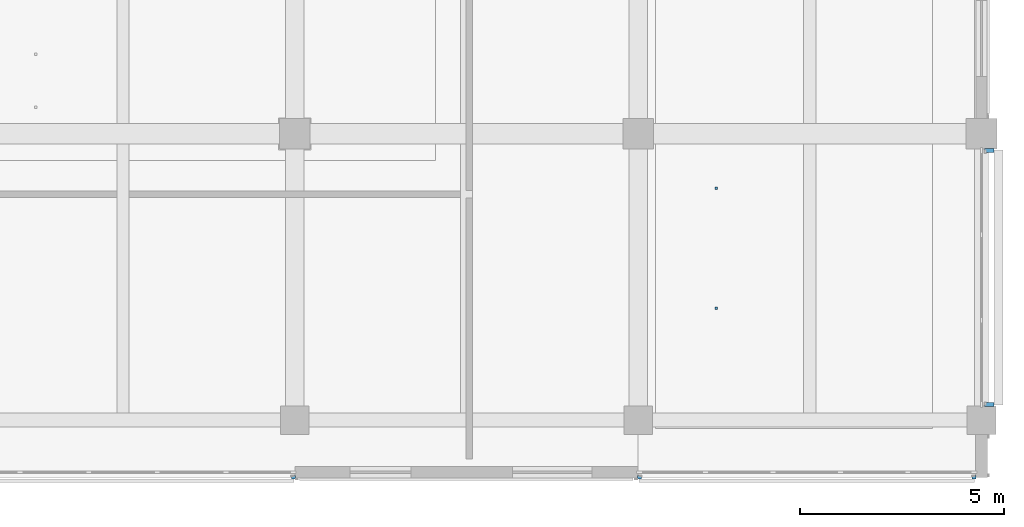
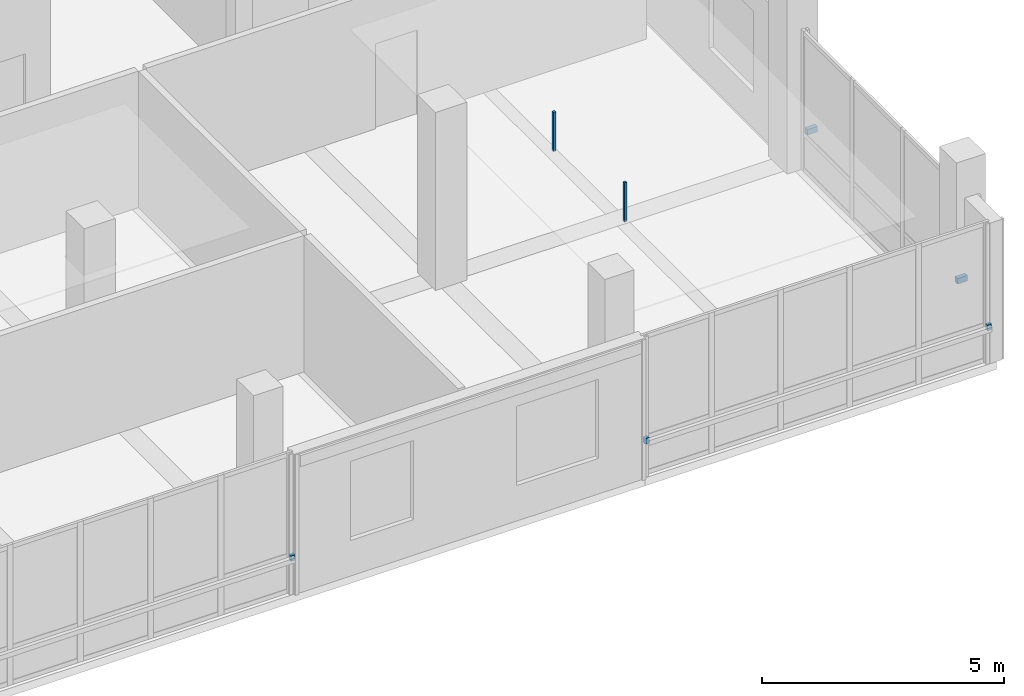
# One storey, part 19 of 35: 7 discrete accessories.
"""IFC4 building model written with IfcOpenShell, lengths in metres."""

from ifc_helpers import new_model, si_unit, direction, frame, origin, origin_2d, place, context, subcontext, project, spatial, rectangle, extrude, material, type_object, element, save


model = new_model("IFC4")

# Units and contexts
model_context = context("Model", 3, precision=1e-05, world=origin(), true_north=direction((0.0, 1.0)))
body_context = subcontext(model_context, "Body", "Model", "MODEL_VIEW")
ifc_project = project(units=[si_unit("LENGTHUNIT", "METRE"), si_unit("AREAUNIT", "SQUARE_METRE"), si_unit("VOLUMEUNIT", "CUBIC_METRE"), si_unit("PLANEANGLEUNIT", "RADIAN"), si_unit("MASSUNIT", "GRAM", prefix="KILO")], contexts=[model_context])

# Site, building, storey
site_placement = place(None, origin())
site = spatial("IfcSite", under=ifc_project, at=site_placement, CompositionType="ELEMENT")
building_placement = place(site_placement, origin())
building = spatial("IfcBuilding", under=site, at=building_placement, Name="Telukmera Botanical Conservatory", CompositionType="ELEMENT")
storey_placement = place(building_placement, frame((0.0, 0.0, 46.5)))
storey = spatial("IfcBuildingStorey", under=building, at=storey_placement, Name="L10", CompositionType="ELEMENT", Elevation=46.5)

# Discrete accessories
ifc_material = material(Name="Steel S355", Category="steel")
discrete_accessory_type_1 = type_object("IfcDiscreteAccessoryType", Name="ACC-CEIL-HGR", PredefinedType="BRACKET", material=ifc_material)
for number, where, z_axis, x_axis, name in (
    (1, (94.3115234375, 13.33740234375, 3.31982421875), (0.0, 0.0, 1.0), (1.0, 0.0, 0.0), "L10 Suspended Ceiling Hanger Rod 027-1"),
    (2, (94.3115234375, 16.27490234375, 3.31982421875), (0.0, 0.0, 1.0), (1.0, 0.0, 0.0), "L10 Suspended Ceiling Hanger Rod 027-2"),
):
    element("IfcDiscreteAccessory", number, at=place(storey_placement, frame(where, z_axis=z_axis, x_axis=x_axis)), inside=storey, type_object=discrete_accessory_type_1, Name=name, PredefinedType="BRACKET", context=body_context, shape_type="SweptSolid", body=[
        extrude(rectangle(XDim=0.06005859375, YDim=0.06005859375, at=origin_2d()), origin(), (0.0, 0.0, 1.0), 0.985107421875),
    ])
discrete_accessory_type_2 = type_object("IfcDiscreteAccessoryType", Name="Structural Steel Facade Outrigger Fin Bracket", PredefinedType="BRACKET", material=ifc_material)
for number, where, z_axis, x_axis, name in (
    (3, (83.968017578125, 9.205078125, 0.8798828125), (0.0, 0.0, 1.0), (1.0, 0.0, 0.0), "Facade Outrigger Bracket V4:L10:S4 B"),
    (4, (92.431884765625, 9.205078125, 0.8798828125), (0.0, 0.0, 1.0), (1.0, 0.0, 0.0), "Facade Outrigger Bracket V4:L10:S6 A"),
    (5, (100.617919921875, 9.205078125, 0.8798828125), (0.0, 0.0, 1.0), (1.0, 0.0, 0.0), "Facade Outrigger Bracket V4:L10:S6 B"),
):
    element("IfcDiscreteAccessory", number, at=place(storey_placement, frame(where, z_axis=z_axis, x_axis=x_axis)), inside=storey, type_object=discrete_accessory_type_2, Name=name, PredefinedType="BRACKET", context=body_context, shape_type="SweptSolid", body=[
        extrude(rectangle(XDim=0.10009765625, YDim=0.090087890625, at=origin_2d()), origin(), (0.0, 0.0, 1.0), 0.139892578125),
    ])
for number, where, z_axis, x_axis, name in (
    (6, (100.989990234375, 10.98193359375, 0.8798828125), (0.0, 0.0, 1.0), (0.0, 1.0, 0.0), "Facade Outrigger Bracket V4:L10:E1 A"),
    (7, (100.989990234375, 17.193115234375, 0.8798828125), (0.0, 0.0, 1.0), (0.0, 1.0, 0.0), "Facade Outrigger Bracket V4:L10:E1 B"),
):
    element("IfcDiscreteAccessory", number, at=place(storey_placement, frame(where, z_axis=z_axis, x_axis=x_axis)), inside=storey, type_object=discrete_accessory_type_2, Name=name, PredefinedType="BRACKET", context=body_context, shape_type="SweptSolid", body=[
        extrude(rectangle(XDim=0.10009765625, YDim=0.239990234375, at=origin_2d()), origin(), (0.0, 0.0, 1.0), 0.139892578125),
    ])

save(model, "model.ifc")
